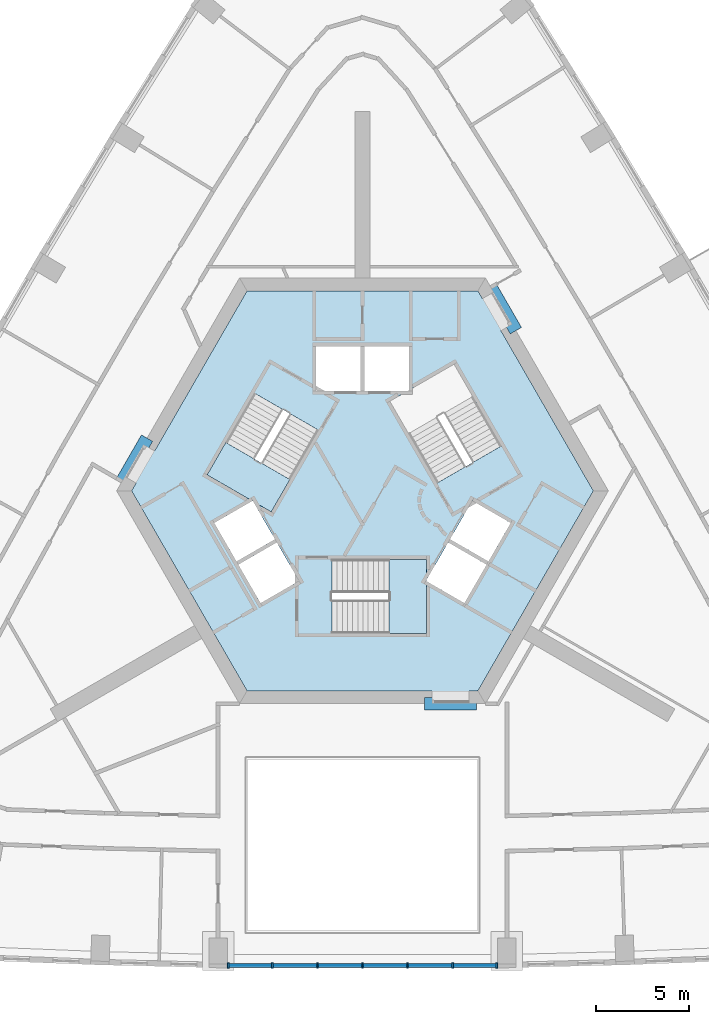
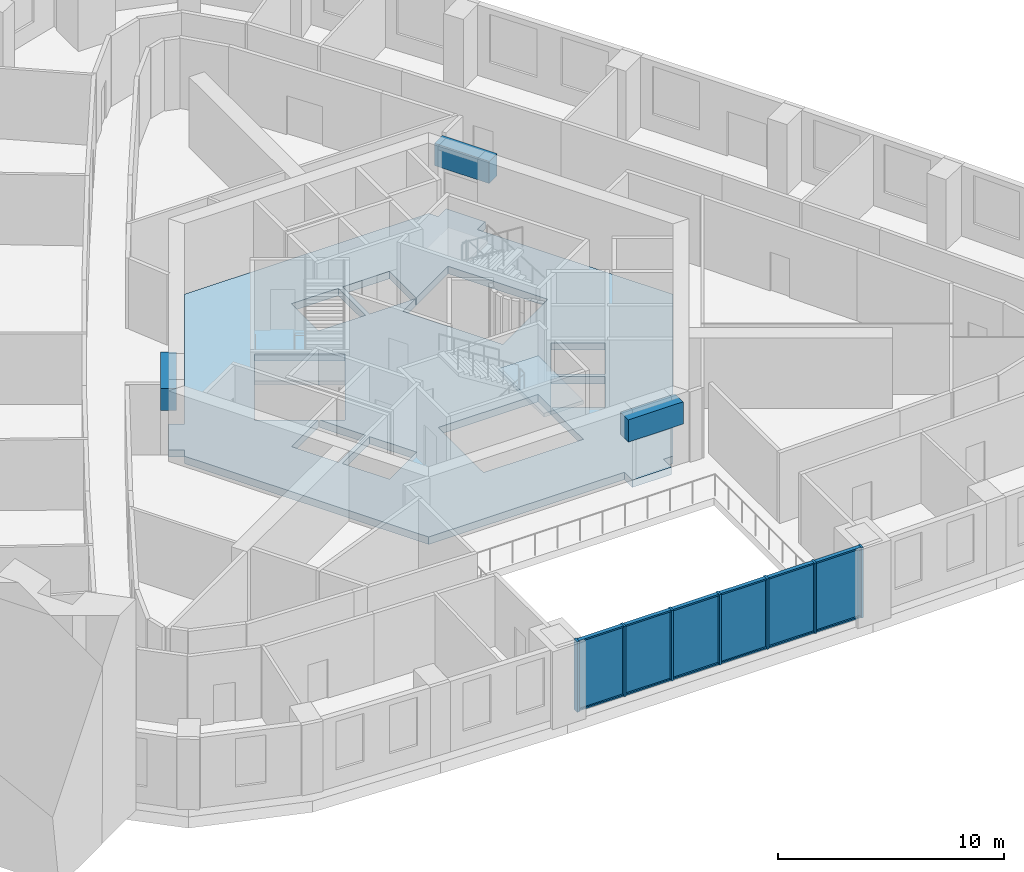
# One storey, part 2 of 13: 19 members, 6 plates, 3 beams, 3 slabs, 3 elements without a shape of their own.
"""IFC4 building model written with IfcOpenShell, lengths in metres."""

from ifc_helpers import new_model, si_unit, direction, frame, origin, origin_2d, place, context, subcontext, project, spatial, polyline, rectangle, outline, extrude, material, layer, layer_set, material_profile, profile_set, type_object, element, aggregate, save


model = new_model("IFC4")

# Units and contexts
model_context = context("Model", 3, precision=1e-05, world=origin(), true_north=direction((0.0, 1.0)))
body_context = subcontext(model_context, "Body", "Model", "MODEL_VIEW")
ifc_project = project(units=[si_unit("LENGTHUNIT", "METRE"), si_unit("AREAUNIT", "SQUARE_METRE"), si_unit("VOLUMEUNIT", "CUBIC_METRE"), si_unit("PLANEANGLEUNIT", "RADIAN"), si_unit("MASSUNIT", "GRAM", prefix="KILO")], contexts=[model_context])

# Site, building, storey
site_placement = place(None, origin())
site = spatial("IfcSite", under=ifc_project, at=site_placement, CompositionType="ELEMENT")
building_placement = place(site_placement, origin())
building = spatial("IfcBuilding", under=site, at=building_placement, Name="Entoto Arch Interchange Tower", CompositionType="ELEMENT")
storey_placement = place(building_placement, frame((0.0, 0.0, 215.0)))
storey = spatial("IfcBuildingStorey", under=building, at=storey_placement, Name="L48", CompositionType="ELEMENT", Elevation=215.0)

# Beams
ifc_material_1 = material(Name="Concrete C50/60", Category="concrete")
ifc_material_profile_1 = material_profile(ifc_material_1, rectangle(XDim=0.699951171875, YDim=1.199951171875, at=origin_2d()))
ifc_profile_set_1 = profile_set([ifc_material_profile_1], Name="Concrete C50/60")
beam_type = type_object("IfcBeamType", Name="Coupling beam RC 700x1200 C50/60", PredefinedType="BEAM", material=ifc_profile_set_1)
for number, where, z_axis, x_axis, name in (
    (1, (8.283935546875, 11.152099609375, 3.0), (-0.500135180047, 0.865947343479, 0.0), (-0.865947343479, -0.500135180047, 0.0), "Coupling beam NE L48"),
    (2, (-11.634033203125, 5.347900390625, 3.0), (-0.500135180047, -0.865947343479, 0.0), (0.865947343479, -0.500135180047, 0.0), "Coupling beam NW L48"),
):
    element("IfcBeam", number, at=place(storey_placement, frame(where, z_axis=z_axis, x_axis=x_axis)), inside=storey, type_object=beam_type, Name=name, PredefinedType="BEAM", context=body_context, shape_type="SweptSolid", body=[
        extrude(rectangle(XDim=0.699951171875, YDim=1.199951171875, at=origin_2d()), origin(), (0.0, 0.0, 1.0), 2.799072265625),
    ])
beam_placement = place(storey_placement, frame((3.35009765625, -9.0, 3.0), z_axis=(1.0, 0.0, 0.0), x_axis=(0.0, 1.0, 0.0)))
element("IfcBeam", 3, at=beam_placement, inside=storey, type_object=beam_type, Name="Coupling beam S L48", PredefinedType="BEAM", context=body_context, shape_type="SweptSolid", body=[
    extrude(rectangle(XDim=0.699951171875, YDim=1.199951171875, at=origin_2d()), origin(), (0.0, 0.0, 1.0), 2.7998046875),
])

# Curtain wall, members
ifc_material_2 = material(Name="Aluminium, anodised", Category="aluminium")
curtain_wall_type = type_object("IfcCurtainWallType", Name="CURTAIN WALL ATRIUM", PredefinedType="NOTDEFINED", material=ifc_material_2)
curtain_wall_placement = place(storey_placement, origin())
curtain_wall = element("IfcCurtainWall", 4, at=curtain_wall_placement, inside=storey, type_object=curtain_wall_type, Name="Atrium glazing S-03 L48", PredefinedType="NOTDEFINED")
ifc_material_profile_2 = material_profile(ifc_material_2, rectangle(XDim=0.300048828125, YDim=0.10009765625, at=origin_2d()))
ifc_profile_set_2 = profile_set([ifc_material_profile_2], Name="Aluminium, anodised")
member_type_1 = type_object("IfcMemberType", Name="MULLION ATRIUM 100x300", PredefinedType="MULLION", material=ifc_profile_set_2)
member_1_placement = place(storey_placement, frame((-7.2490234375, -23.135986328125, 0.0), z_axis=(0.0, 0.0, 1.0), x_axis=(0.0, 1.0, 0.0)))
member_1 = element("IfcMember", 5, at=member_1_placement, type_object=member_type_1, Name="CWA mullion 1", PredefinedType="MULLION", context=body_context, shape_type="SweptSolid", body=[
    extrude(rectangle(XDim=0.300048828125, YDim=0.10009765625, at=origin_2d()), origin(), (0.0, 0.0, 1.0), 3.800048828125),
])
member_2_placement = place(storey_placement, frame((-4.865966796875, -23.135986328125, 0.0), z_axis=(0.0, 0.0, 1.0), x_axis=(0.0, 1.0, 0.0)))
member_2 = element("IfcMember", 6, at=member_2_placement, type_object=member_type_1, Name="CWA mullion 2", PredefinedType="MULLION", context=body_context, shape_type="SweptSolid", body=[
    extrude(rectangle(XDim=0.300048828125, YDim=0.10009765625, at=origin_2d()), origin(), (0.0, 0.0, 1.0), 3.800048828125),
])
member_3_placement = place(storey_placement, frame((-2.43310546875, -23.135986328125, 0.0), z_axis=(0.0, 0.0, 1.0), x_axis=(0.0, 1.0, 0.0)))
member_3 = element("IfcMember", 7, at=member_3_placement, type_object=member_type_1, Name="CWA mullion 3", PredefinedType="MULLION", context=body_context, shape_type="SweptSolid", body=[
    extrude(rectangle(XDim=0.300048828125, YDim=0.10009765625, at=origin_2d()), origin(), (0.0, 0.0, 1.0), 3.800048828125),
])
member_4_placement = place(storey_placement, frame((0.0, -23.135986328125, 0.0), z_axis=(0.0, 0.0, 1.0), x_axis=(0.0, 1.0, 0.0)))
member_4 = element("IfcMember", 8, at=member_4_placement, type_object=member_type_1, Name="CWA mullion 4", PredefinedType="MULLION", context=body_context, shape_type="SweptSolid", body=[
    extrude(rectangle(XDim=0.300048828125, YDim=0.10009765625, at=origin_2d()), origin(), (0.0, 0.0, 1.0), 3.800048828125),
])
member_5_placement = place(storey_placement, frame((2.43310546875, -23.135986328125, 0.0), z_axis=(0.0, 0.0, 1.0), x_axis=(0.0, 1.0, 0.0)))
member_5 = element("IfcMember", 9, at=member_5_placement, type_object=member_type_1, Name="CWA mullion 5", PredefinedType="MULLION", context=body_context, shape_type="SweptSolid", body=[
    extrude(rectangle(XDim=0.300048828125, YDim=0.10009765625, at=origin_2d()), origin(), (0.0, 0.0, 1.0), 3.800048828125),
])
member_6_placement = place(storey_placement, frame((4.865966796875, -23.135986328125, 0.0), z_axis=(0.0, 0.0, 1.0), x_axis=(0.0, 1.0, 0.0)))
member_6 = element("IfcMember", 10, at=member_6_placement, type_object=member_type_1, Name="CWA mullion 6", PredefinedType="MULLION", context=body_context, shape_type="SweptSolid", body=[
    extrude(rectangle(XDim=0.300048828125, YDim=0.10009765625, at=origin_2d()), origin(), (0.0, 0.0, 1.0), 3.800048828125),
])
member_7_placement = place(storey_placement, frame((7.2490234375, -23.135986328125, 0.0), z_axis=(0.0, 0.0, 1.0), x_axis=(0.0, 1.0, 0.0)))
member_7 = element("IfcMember", 11, at=member_7_placement, type_object=member_type_1, Name="CWA mullion 7", PredefinedType="MULLION", context=body_context, shape_type="SweptSolid", body=[
    extrude(rectangle(XDim=0.300048828125, YDim=0.10009765625, at=origin_2d()), origin(), (0.0, 0.0, 1.0), 3.800048828125),
])
ifc_material_profile_3 = material_profile(ifc_material_2, rectangle(XDim=0.199951171875, YDim=0.080078125, at=origin_2d()))
ifc_profile_set_3 = profile_set([ifc_material_profile_3], Name="Aluminium, anodised")
member_type_2 = type_object("IfcMemberType", Name="TRANSOM ATRIUM 80x200", PredefinedType="USERDEFINED", material=ifc_profile_set_3)
member_8_placement = place(storey_placement, frame((-7.198974609375, -23.135986328125, 0.0400390625), z_axis=(1.0, 0.0, 0.0), x_axis=(0.0, 1.0, 0.0)))
member_8 = element("IfcMember", 12, at=member_8_placement, type_object=member_type_2, Name="CWA transom 1.1", ObjectType="TRANSOM", PredefinedType="USERDEFINED", context=body_context, shape_type="SweptSolid", body=[
    extrude(rectangle(XDim=0.199951171875, YDim=0.080078125, at=origin_2d()), origin(), (0.0, 0.0, 1.0), 2.282958984375),
])
member_9_placement = place(storey_placement, frame((-7.198974609375, -23.135986328125, 3.760009765625), z_axis=(1.0, 0.0, 0.0), x_axis=(0.0, 1.0, 0.0)))
member_9 = element("IfcMember", 13, at=member_9_placement, type_object=member_type_2, Name="CWA transom 1.2", ObjectType="TRANSOM", PredefinedType="USERDEFINED", context=body_context, shape_type="SweptSolid", body=[
    extrude(rectangle(XDim=0.199951171875, YDim=0.080078125, at=origin_2d()), origin(), (0.0, 0.0, 1.0), 2.282958984375),
])
member_10_placement = place(storey_placement, frame((-4.81591796875, -23.135986328125, 0.0400390625), z_axis=(1.0, 0.0, 0.0), x_axis=(0.0, 1.0, 0.0)))
member_10 = element("IfcMember", 14, at=member_10_placement, type_object=member_type_2, Name="CWA transom 2.1", ObjectType="TRANSOM", PredefinedType="USERDEFINED", context=body_context, shape_type="SweptSolid", body=[
    extrude(rectangle(XDim=0.199951171875, YDim=0.080078125, at=origin_2d()), origin(), (0.0, 0.0, 1.0), 2.3330078125),
])
member_11_placement = place(storey_placement, frame((-4.81591796875, -23.135986328125, 3.760009765625), z_axis=(1.0, 0.0, 0.0), x_axis=(0.0, 1.0, 0.0)))
member_11 = element("IfcMember", 15, at=member_11_placement, type_object=member_type_2, Name="CWA transom 2.2", ObjectType="TRANSOM", PredefinedType="USERDEFINED", context=body_context, shape_type="SweptSolid", body=[
    extrude(rectangle(XDim=0.199951171875, YDim=0.080078125, at=origin_2d()), origin(), (0.0, 0.0, 1.0), 2.3330078125),
])
member_12_placement = place(storey_placement, frame((-2.383056640625, -23.135986328125, 0.0400390625), z_axis=(1.0, 0.0, 0.0), x_axis=(0.0, 1.0, 0.0)))
member_12 = element("IfcMember", 16, at=member_12_placement, type_object=member_type_2, Name="CWA transom 3.1", ObjectType="TRANSOM", PredefinedType="USERDEFINED", context=body_context, shape_type="SweptSolid", body=[
    extrude(rectangle(XDim=0.199951171875, YDim=0.080078125, at=origin_2d()), origin(), (0.0, 0.0, 1.0), 2.3330078125),
])
member_13_placement = place(storey_placement, frame((-2.383056640625, -23.135986328125, 3.760009765625), z_axis=(1.0, 0.0, 0.0), x_axis=(0.0, 1.0, 0.0)))
member_13 = element("IfcMember", 17, at=member_13_placement, type_object=member_type_2, Name="CWA transom 3.2", ObjectType="TRANSOM", PredefinedType="USERDEFINED", context=body_context, shape_type="SweptSolid", body=[
    extrude(rectangle(XDim=0.199951171875, YDim=0.080078125, at=origin_2d()), origin(), (0.0, 0.0, 1.0), 2.3330078125),
])
member_14_placement = place(storey_placement, frame((0.050048828125, -23.135986328125, 0.0400390625), z_axis=(1.0, 0.0, 0.0), x_axis=(0.0, 1.0, 0.0)))
member_14 = element("IfcMember", 18, at=member_14_placement, type_object=member_type_2, Name="CWA transom 4.1", ObjectType="TRANSOM", PredefinedType="USERDEFINED", context=body_context, shape_type="SweptSolid", body=[
    extrude(rectangle(XDim=0.199951171875, YDim=0.080078125, at=origin_2d()), origin(), (0.0, 0.0, 1.0), 2.3330078125),
])
member_15_placement = place(storey_placement, frame((0.050048828125, -23.135986328125, 3.760009765625), z_axis=(1.0, 0.0, 0.0), x_axis=(0.0, 1.0, 0.0)))
member_15 = element("IfcMember", 19, at=member_15_placement, type_object=member_type_2, Name="CWA transom 4.2", ObjectType="TRANSOM", PredefinedType="USERDEFINED", context=body_context, shape_type="SweptSolid", body=[
    extrude(rectangle(XDim=0.199951171875, YDim=0.080078125, at=origin_2d()), origin(), (0.0, 0.0, 1.0), 2.3330078125),
])
member_16_placement = place(storey_placement, frame((2.48291015625, -23.135986328125, 0.0400390625), z_axis=(1.0, 0.0, 0.0), x_axis=(0.0, 1.0, 0.0)))
member_16 = element("IfcMember", 20, at=member_16_placement, type_object=member_type_2, Name="CWA transom 5.1", ObjectType="TRANSOM", PredefinedType="USERDEFINED", context=body_context, shape_type="SweptSolid", body=[
    extrude(rectangle(XDim=0.199951171875, YDim=0.080078125, at=origin_2d()), origin(), (0.0, 0.0, 1.0), 2.3330078125),
])
member_17_placement = place(storey_placement, frame((2.48291015625, -23.135986328125, 3.760009765625), z_axis=(1.0, 0.0, 0.0), x_axis=(0.0, 1.0, 0.0)))
member_17 = element("IfcMember", 21, at=member_17_placement, type_object=member_type_2, Name="CWA transom 5.2", ObjectType="TRANSOM", PredefinedType="USERDEFINED", context=body_context, shape_type="SweptSolid", body=[
    extrude(rectangle(XDim=0.199951171875, YDim=0.080078125, at=origin_2d()), origin(), (0.0, 0.0, 1.0), 2.3330078125),
])
member_18_placement = place(storey_placement, frame((4.916015625, -23.135986328125, 0.0400390625), z_axis=(1.0, 0.0, 0.0), x_axis=(0.0, 1.0, 0.0)))
member_18 = element("IfcMember", 22, at=member_18_placement, type_object=member_type_2, Name="CWA transom 6.1", ObjectType="TRANSOM", PredefinedType="USERDEFINED", context=body_context, shape_type="SweptSolid", body=[
    extrude(rectangle(XDim=0.199951171875, YDim=0.080078125, at=origin_2d()), origin(), (0.0, 0.0, 1.0), 2.282958984375),
])
member_19_placement = place(storey_placement, frame((4.916015625, -23.135986328125, 3.760009765625), z_axis=(1.0, 0.0, 0.0), x_axis=(0.0, 1.0, 0.0)))
member_19 = element("IfcMember", 23, at=member_19_placement, type_object=member_type_2, Name="CWA transom 6.2", ObjectType="TRANSOM", PredefinedType="USERDEFINED", context=body_context, shape_type="SweptSolid", body=[
    extrude(rectangle(XDim=0.199951171875, YDim=0.080078125, at=origin_2d()), origin(), (0.0, 0.0, 1.0), 2.282958984375),
])

# Slab
ifc_material_3 = material(Name="Concrete C40/50", Category="concrete")
ifc_layer_1 = layer(ifc_material_3, 0.39990234375)
ifc_layer_set_1 = layer_set([ifc_layer_1], Name="Concrete C40/50")
slab_type_1 = type_object("IfcSlabType", Name="Core floor slab 400 C40/50", PredefinedType="FLOOR", material=ifc_layer_set_1)
slab_1_placement = place(storey_placement, frame((0.0, 0.0, -0.39990234375)))
element("IfcSlab", 24, at=slab_1_placement, inside=storey, type_object=slab_type_1, Name="Core floor slab L48", PredefinedType="FLOOR", context=body_context, shape_type="SweptSolid", body=[
    extrude(outline(polyline([(5.75, -9.0), (3.75, -9.0), (3.75, -8.300048828125), (-6.235107421875, -8.300048828125), (-12.470947265625, 2.5), (-12.22802734375, 2.919921875), (-12.833984375, 3.27001953125), (-11.833984375, 5.001953125), (-11.22802734375, 4.652099609375), (-6.235107421875, 13.300048828125), (6.235107421875, 13.300048828125), (6.47802734375, 12.8798828125), (7.083984375, 13.22998046875), (8.083984375, 11.498046875), (7.47802734375, 11.14794921875), (12.470947265625, 2.5), (6.235107421875, -8.300048828125), (5.75, -8.300048828125), (5.75, -9.0)]), holes=[polyline([(-1.64990234375, -5.199951171875), (3.449951171875, -5.199951171875), (3.449951171875, -2.3779296875), (5.5048828125, -3.56494140625), (6.705078125, -1.487060546875), (4.626953125, -0.287109375), (3.449951171875, -2.324951171875), (3.449951171875, -1.199951171875), (-1.64990234375, -1.199951171875), (-1.64990234375, -5.199951171875)]), polyline([(-4.626953125, -0.287109375), (-6.705078125, -1.487060546875), (-5.5048828125, -3.56494140625), (-3.427001953125, -2.364990234375), (-4.626953125, -0.287109375)]), polyline([(-5.904052734375, 1.925048828125), (-4.928955078125, 1.362060546875), (-2.37890625, 5.779052734375), (-5.843017578125, 7.779052734375), (-8.39306640625, 3.362060546875), (-5.949951171875, 1.951904296875), (-8.0048828125, 0.764892578125), (-6.804931640625, -1.31298828125), (-4.72705078125, -0.113037109375), (-5.904052734375, 1.925048828125)]), polyline([(4.72705078125, -0.113037109375), (6.804931640625, -1.31298828125), (8.0048828125, 0.764892578125), (5.927001953125, 1.965087890625), (4.72705078125, -0.113037109375)]), polyline([(2.5, 7.927001953125), (2.5, 10.300048828125), (0.10009765625, 10.300048828125), (0.10009765625, 7.89990234375), (2.452880859375, 7.89990234375), (1.47900390625, 7.337890625), (4.029052734375, 2.9208984375), (7.492919921875, 4.9208984375), (4.943115234375, 9.337890625), (2.5, 7.927001953125)]), polyline([(-2.5, 7.89990234375), (-0.10009765625, 7.89990234375), (-0.10009765625, 10.300048828125), (-2.5, 10.300048828125), (-2.5, 7.89990234375)])]), origin(), (0.0, 0.0, 1.0), 0.39990234375),
])

# Stair, slab
stair_type = type_object("IfcStairType", Name="EXIT STAIR RC 1800", PredefinedType="HALF_TURN_STAIR", material=ifc_material_3)
stair_1_placement = place(storey_placement, origin())
stair_1 = element("IfcStair", 25, at=stair_1_placement, inside=storey, type_object=stair_type, Name="L48 Exit stair S", PredefinedType="HALF_TURN_STAIR")
ifc_layer_2 = layer(ifc_material_3, 0.199951171875)
ifc_layer_set_2 = layer_set([ifc_layer_2], Name="Concrete C40/50")
slab_type_2 = type_object("IfcSlabType", Name="EXIT STAIR LANDING RC 200", PredefinedType="LANDING", material=ifc_layer_set_2)
slab_2_placement = place(storey_placement, frame((0.0, 0.0, 1.89990234375)))
slab_2 = element("IfcSlab", 26, at=slab_2_placement, type_object=slab_type_2, Name="ST-S landing 1", PredefinedType="LANDING", context=body_context, shape_type="SweptSolid", body=[
    extrude(outline(polyline([(1.429931640625, -5.199951171875), (3.449951171875, -5.199951171875), (3.449951171875, -1.199951171875), (1.429931640625, -1.199951171875), (1.429931640625, -5.199951171875)])), origin(), (0.0, 0.0, 1.0), 0.2001953125),
])
aggregate(stair_1, [slab_2])

stair_2_placement = place(storey_placement, origin())
stair_2 = element("IfcStair", 27, at=stair_2_placement, inside=storey, type_object=stair_type, Name="L48 Exit stair NW", PredefinedType="HALF_TURN_STAIR")
slab_3_placement = place(storey_placement, frame((0.0, 0.0, 1.89990234375)))
slab_3 = element("IfcSlab", 28, at=slab_3_placement, type_object=slab_type_2, Name="ST-NW landing 1", PredefinedType="LANDING", context=body_context, shape_type="SweptSolid", body=[
    extrude(outline(polyline([(-7.38330078125, 5.111572265625), (-8.393310546875, 3.3623046875), (-4.92919921875, 1.3623046875), (-3.919189453125, 3.111572265625), (-7.38330078125, 5.111572265625)])), origin(), (0.0, 0.0, 1.0), 0.2001953125),
])
aggregate(stair_2, [slab_3])

# Plate
ifc_material_4 = material(Name="Clear glass, low-e double glazed", Category="glass")
ifc_layer_3 = layer(ifc_material_4, 0.031982421875)
ifc_layer_set_3 = layer_set([ifc_layer_3], Name="Clear glass, low-e double glazed")
plate_type = type_object("IfcPlateType", Name="GLAZING PANEL ATRIUM 32", PredefinedType="CURTAIN_PANEL", material=ifc_layer_set_3)
plate_1_placement = place(storey_placement, frame((-6.0576171875, -23.135986328125, 0.080078125), z_axis=(0.0, 0.0, 1.0), x_axis=(1.0, 0.0, 0.0)))
plate_1 = element("IfcPlate", 29, at=plate_1_placement, type_object=plate_type, Name="CWA panel 1.1", PredefinedType="CURTAIN_PANEL", context=body_context, shape_type="SweptSolid", body=[
    extrude(rectangle(XDim=2.282958984375, YDim=0.031982421875, at=origin_2d()), origin(), (0.0, 0.0, 1.0), 3.639892578125),
])

plate_2_placement = place(storey_placement, frame((-3.6494140625, -23.135986328125, 0.080078125), z_axis=(0.0, 0.0, 1.0), x_axis=(1.0, 0.0, 0.0)))
plate_2 = element("IfcPlate", 30, at=plate_2_placement, type_object=plate_type, Name="CWA panel 2.1", PredefinedType="CURTAIN_PANEL", context=body_context, shape_type="SweptSolid", body=[
    extrude(rectangle(XDim=2.3330078125, YDim=0.031982421875, at=origin_2d()), origin(), (0.0, 0.0, 1.0), 3.639892578125),
])

plate_3_placement = place(storey_placement, frame((-1.216552734375, -23.135986328125, 0.080078125), z_axis=(0.0, 0.0, 1.0), x_axis=(1.0, 0.0, 0.0)))
plate_3 = element("IfcPlate", 31, at=plate_3_placement, type_object=plate_type, Name="CWA panel 3.1", PredefinedType="CURTAIN_PANEL", context=body_context, shape_type="SweptSolid", body=[
    extrude(rectangle(XDim=2.3330078125, YDim=0.031982421875, at=origin_2d()), origin(), (0.0, 0.0, 1.0), 3.639892578125),
])

plate_4_placement = place(storey_placement, frame((1.216552734375, -23.135986328125, 0.080078125), z_axis=(0.0, 0.0, 1.0), x_axis=(1.0, 0.0, 0.0)))
plate_4 = element("IfcPlate", 32, at=plate_4_placement, type_object=plate_type, Name="CWA panel 4.1", PredefinedType="CURTAIN_PANEL", context=body_context, shape_type="SweptSolid", body=[
    extrude(rectangle(XDim=2.3330078125, YDim=0.031982421875, at=origin_2d()), origin(), (0.0, 0.0, 1.0), 3.639892578125),
])

plate_5_placement = place(storey_placement, frame((3.6494140625, -23.135986328125, 0.080078125), z_axis=(0.0, 0.0, 1.0), x_axis=(1.0, 0.0, 0.0)))
plate_5 = element("IfcPlate", 33, at=plate_5_placement, type_object=plate_type, Name="CWA panel 5.1", PredefinedType="CURTAIN_PANEL", context=body_context, shape_type="SweptSolid", body=[
    extrude(rectangle(XDim=2.3330078125, YDim=0.031982421875, at=origin_2d()), origin(), (0.0, 0.0, 1.0), 3.639892578125),
])

plate_6_placement = place(storey_placement, frame((6.0576171875, -23.135986328125, 0.080078125), z_axis=(0.0, 0.0, 1.0), x_axis=(1.0, 0.0, 0.0)))
plate_6 = element("IfcPlate", 34, at=plate_6_placement, type_object=plate_type, Name="CWA panel 6.1", PredefinedType="CURTAIN_PANEL", context=body_context, shape_type="SweptSolid", body=[
    extrude(rectangle(XDim=2.282958984375, YDim=0.031982421875, at=origin_2d()), origin(), (0.0, 0.0, 1.0), 3.639892578125),
])

aggregate(curtain_wall, [member_1, member_2, member_3, member_4, member_5, member_6, member_7, member_8, member_9, plate_1, member_10, member_11, plate_2, member_12, member_13, plate_3, member_14, member_15, plate_4, member_16, member_17, plate_5, member_18, member_19, plate_6])

save(model, "model.ifc")
